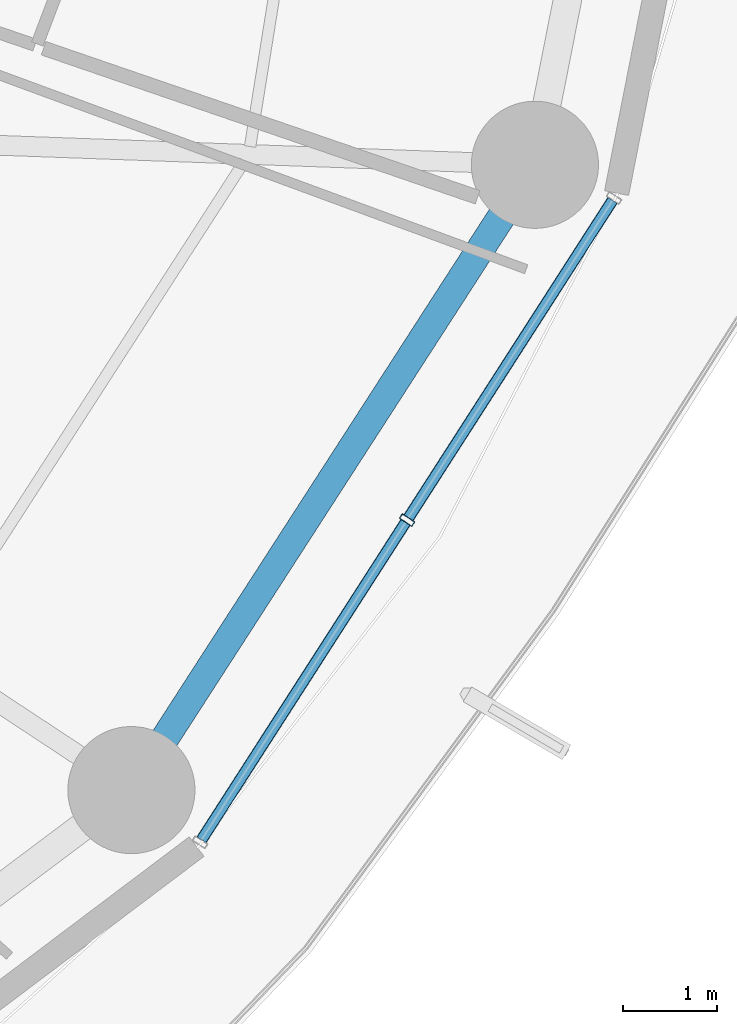
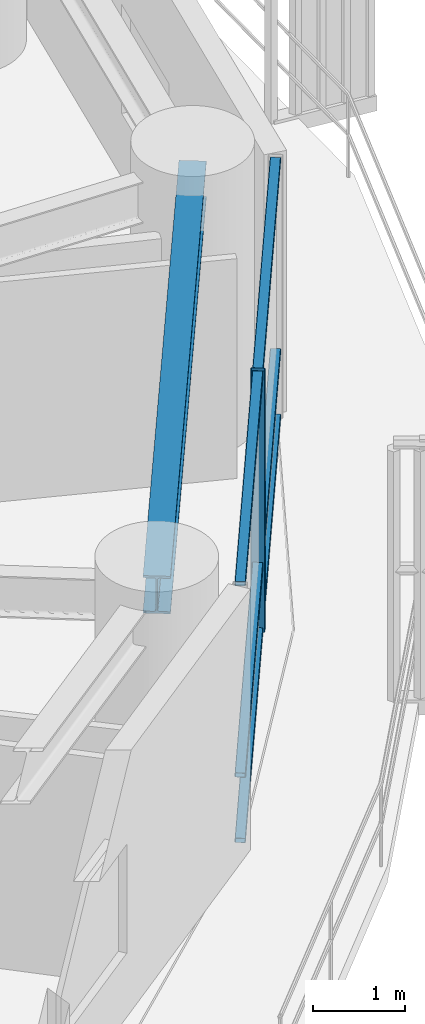
# One storey, part 13 of 35: 7 members, 1 beam, 1 element without a shape of its own.
"""IFC4 building model written with IfcOpenShell, lengths in metres."""

from ifc_helpers import new_model, si_unit, direction, frame, origin, origin_2d, place, context, subcontext, project, spatial, hollow_rectangle, i_section, extrude, material, layer, layer_set, material_profile, profile_set, type_object, element, aggregate, save


model = new_model("IFC4")

# Units and contexts
model_context = context("Model", 3, precision=1e-05, world=origin(), true_north=direction((0.0, 1.0)))
body_context = subcontext(model_context, "Body", "Model", "MODEL_VIEW")
ifc_project = project(units=[si_unit("LENGTHUNIT", "METRE"), si_unit("AREAUNIT", "SQUARE_METRE"), si_unit("VOLUMEUNIT", "CUBIC_METRE"), si_unit("PLANEANGLEUNIT", "RADIAN"), si_unit("MASSUNIT", "GRAM", prefix="KILO")], contexts=[model_context])

# Site, building, storey
site_placement = place(None, origin())
site = spatial("IfcSite", under=ifc_project, at=site_placement, CompositionType="ELEMENT")
building_placement = place(site_placement, origin())
building = spatial("IfcBuilding", under=site, at=building_placement, Name="Kelanora Arch Commons", CompositionType="ELEMENT")
storey_placement = place(building_placement, frame((0.0, 0.0, 95.10009765625)))
storey = spatial("IfcBuildingStorey", under=building, at=storey_placement, Name="L24", CompositionType="ELEMENT", Elevation=95.10009765625)

# Beam
ifc_material_1 = material(Name="Steel S355", Category="steel")
ifc_material_profile_1 = material_profile(ifc_material_1, i_section(OverallWidth=0.300048828125, OverallDepth=0.5, WebThickness=0.014404296875, FlangeThickness=0.028076171875, FilletRadius=0.027099609375, at=origin_2d()), Name="HEB500")
ifc_profile_set_1 = profile_set([ifc_material_profile_1], Name="Steel S355")
beam_type = type_object("IfcBeamType", Name="BM-SPN-Z2", PredefinedType="SPANDREL", material=ifc_profile_set_1)
beam_placement = place(storey_placement, frame((92.906005859375, 43.80712890625, 3.239990234375), z_axis=(0.542221144054, 0.840235818649, 0.0), x_axis=(-0.840235818649, 0.542221144054, 0.0)))
element("IfcBeam", 1, at=beam_placement, inside=storey, type_object=beam_type, Name="Perimeter Spandrel Beam BS-32 L24", PredefinedType="SPANDREL", context=body_context, shape_type="SweptSolid", body=[
    extrude(i_section(OverallWidth=0.300048828125, OverallDepth=0.5, WebThickness=0.014404296875, FlangeThickness=0.028076171875, FilletRadius=0.027099609375, at=origin_2d()), origin(), (0.0, 0.0, 1.0), 7.90380859375),
])

# Curtain wall, members
ifc_material_2 = material(Name="Terracotta ceramic-fritted low-E glass and aluminium", Category="masonry")
ifc_layer = layer(ifc_material_2, 0.159912109375)
ifc_layer_set = layer_set([ifc_layer], Name="Terracotta ceramic-fritted low-E glass and aluminium")
curtain_wall_type = type_object("IfcCurtainWallType", Name="CW-SYS-01", PredefinedType="NOTDEFINED", material=ifc_layer_set)
curtain_wall_placement = place(storey_placement, origin())
curtain_wall = element("IfcCurtainWall", 2, at=curtain_wall_placement, inside=storey, type_object=curtain_wall_type, Name="Unitised Curtain Wall L24-B16", PredefinedType="NOTDEFINED")
ifc_material_3 = material(Name="Powder-coated aluminium terracotta", Category="masonry")
ifc_material_profile_2 = material_profile(ifc_material_3, hollow_rectangle(XDim=0.159912109375, YDim=0.06005859375, WallThickness=0.0048828125, InnerFilletRadius=0.0048828125, OuterFilletRadius=0.010009765625, at=origin_2d()), Name="CWM160x60")
ifc_profile_set_2 = profile_set([ifc_material_profile_2], Name="Powder-coated aluminium terracotta")
member_type_1 = type_object("IfcMemberType", Name="CWM-STD", PredefinedType="MULLION", material=ifc_profile_set_2)
member_1_placement = place(storey_placement, frame((95.83349609375, 46.6748046875, 0.0), z_axis=(0.0, 0.0, 1.0), x_axis=(-0.841268883088, 0.540616931244, 0.0)))
member_1 = element("IfcMember", 3, at=member_1_placement, type_object=member_type_1, Name="CW-01 mullion 2", PredefinedType="MULLION", context=body_context, shape_type="SweptSolid", body=[
    extrude(hollow_rectangle(XDim=0.159912109375, YDim=0.06005859375, WallThickness=0.0048828125, InnerFilletRadius=0.0048828125, OuterFilletRadius=0.010009765625, at=origin_2d()), origin(), (0.0, 0.0, 1.0), 3.474853515625),
])
ifc_material_profile_3 = material_profile(ifc_material_3, hollow_rectangle(XDim=0.1201171875, YDim=0.06005859375, WallThickness=0.0048828125, InnerFilletRadius=0.0048828125, OuterFilletRadius=0.010009765625, at=origin_2d()), Name="CWT120x60")
ifc_profile_set_3 = profile_set([ifc_material_profile_3], Name="Powder-coated aluminium terracotta")
member_type_2 = type_object("IfcMemberType", Name="CWT-STD", PredefinedType="USERDEFINED", material=ifc_profile_set_3)
member_2_placement = place(storey_placement, frame((93.651123046875, 43.279052734375, 0.02978515625), z_axis=(0.540643629734, 0.841251725483, 0.0), x_axis=(-0.841251725483, 0.540643629734, 0.0)))
member_2 = element("IfcMember", 4, at=member_2_placement, type_object=member_type_2, Name="CW-01 transom 1.1", ObjectType="TRANSOM", PredefinedType="USERDEFINED", context=body_context, shape_type="SweptSolid", body=[
    extrude(hollow_rectangle(XDim=0.1201171875, YDim=0.06005859375, WallThickness=0.0048828125, InnerFilletRadius=0.0048828125, OuterFilletRadius=0.010009765625, at=origin_2d()), origin(), (0.0, 0.0, 1.0), 4.00634765625),
])
member_3_placement = place(storey_placement, frame((93.651123046875, 43.279052734375, 0.89990234375), z_axis=(0.540643629734, 0.841251725483, 0.0), x_axis=(-0.841251725483, 0.540643629734, 0.0)))
member_3 = element("IfcMember", 5, at=member_3_placement, type_object=member_type_2, Name="CW-01 transom 1.2", ObjectType="TRANSOM", PredefinedType="USERDEFINED", context=body_context, shape_type="SweptSolid", body=[
    extrude(hollow_rectangle(XDim=0.1201171875, YDim=0.06005859375, WallThickness=0.0048828125, InnerFilletRadius=0.0048828125, OuterFilletRadius=0.010009765625, at=origin_2d()), origin(), (0.0, 0.0, 1.0), 4.00634765625),
])
member_4_placement = place(storey_placement, frame((93.651123046875, 43.279052734375, 3.44482421875), z_axis=(0.540643629734, 0.841251725483, 0.0), x_axis=(-0.841251725483, 0.540643629734, 0.0)))
member_4 = element("IfcMember", 6, at=member_4_placement, type_object=member_type_2, Name="CW-01 transom 1.3", ObjectType="TRANSOM", PredefinedType="USERDEFINED", context=body_context, shape_type="SweptSolid", body=[
    extrude(hollow_rectangle(XDim=0.1201171875, YDim=0.06005859375, WallThickness=0.0048828125, InnerFilletRadius=0.0048828125, OuterFilletRadius=0.010009765625, at=origin_2d()), origin(), (0.0, 0.0, 1.0), 4.00634765625),
])
member_5_placement = place(storey_placement, frame((95.849609375, 46.699951171875, 0.02978515625), z_axis=(0.540643629734, 0.841251725483, 0.0), x_axis=(-0.841251725483, 0.540643629734, 0.0)))
member_5 = element("IfcMember", 7, at=member_5_placement, type_object=member_type_2, Name="CW-01 transom 2.1", ObjectType="TRANSOM", PredefinedType="USERDEFINED", context=body_context, shape_type="SweptSolid", body=[
    extrude(hollow_rectangle(XDim=0.1201171875, YDim=0.06005859375, WallThickness=0.0048828125, InnerFilletRadius=0.0048828125, OuterFilletRadius=0.010009765625, at=origin_2d()), origin(), (0.0, 0.0, 1.0), 4.00634765625),
])
member_6_placement = place(storey_placement, frame((95.849609375, 46.699951171875, 0.89990234375), z_axis=(0.540643629734, 0.841251725483, 0.0), x_axis=(-0.841251725483, 0.540643629734, 0.0)))
member_6 = element("IfcMember", 8, at=member_6_placement, type_object=member_type_2, Name="CW-01 transom 2.2", ObjectType="TRANSOM", PredefinedType="USERDEFINED", context=body_context, shape_type="SweptSolid", body=[
    extrude(hollow_rectangle(XDim=0.1201171875, YDim=0.06005859375, WallThickness=0.0048828125, InnerFilletRadius=0.0048828125, OuterFilletRadius=0.010009765625, at=origin_2d()), origin(), (0.0, 0.0, 1.0), 4.00634765625),
])
member_7_placement = place(storey_placement, frame((95.849609375, 46.699951171875, 3.44482421875), z_axis=(0.540643629734, 0.841251725483, 0.0), x_axis=(-0.841251725483, 0.540643629734, 0.0)))
member_7 = element("IfcMember", 9, at=member_7_placement, type_object=member_type_2, Name="CW-01 transom 2.3", ObjectType="TRANSOM", PredefinedType="USERDEFINED", context=body_context, shape_type="SweptSolid", body=[
    extrude(hollow_rectangle(XDim=0.1201171875, YDim=0.06005859375, WallThickness=0.0048828125, InnerFilletRadius=0.0048828125, OuterFilletRadius=0.010009765625, at=origin_2d()), origin(), (0.0, 0.0, 1.0), 4.00634765625),
])
aggregate(curtain_wall, [member_1, member_2, member_3, member_4, member_5, member_6, member_7])

save(model, "model.ifc")
